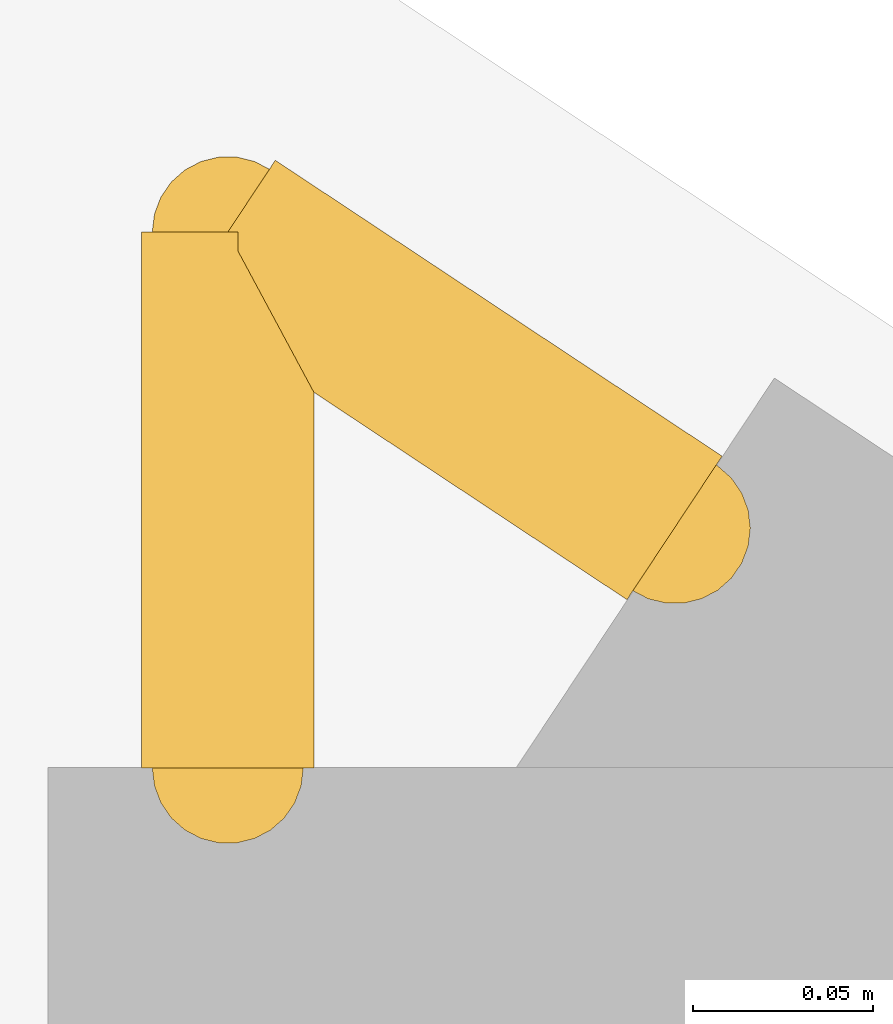
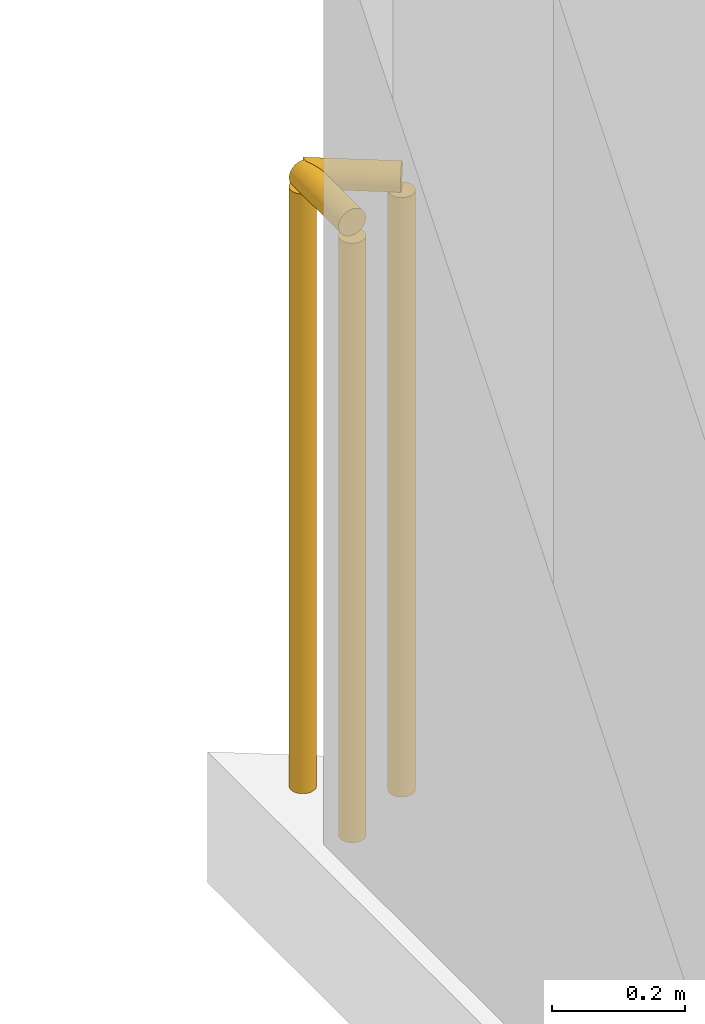
# One storey, part 16 of 17: 2 railings.
"""IFC4 building model written with IfcOpenShell, lengths in metres."""

import ifcopenshell
import ifcopenshell.guid

model = None  # the IFC model being written
_history = None  # IfcOwnerHistory: only IFC2X3 demands one
_inside = {}  # id of a spatial element -> (the spatial element, [elements in it])
_under = {}  # id of a project, library or spatial element -> (it, [spatial elements below it])
_declared = {}  # id of a project -> (the project, [libraries it declares])
_typed = {}  # id of a type object -> (the type object, [elements of that type])
_made_of = {}  # id of a material, layer set ... -> (it, [elements and type objects made of it])


def new_model(schema):
    """Start an empty IFC model of exactly this schema.

    Asked for "IFC4X3", IfcOpenShell would pick the latest addendum, in which some entities
    have other attributes; the version numbers below select the first issue.
    IFC2X3 requires an IfcOwnerHistory on every rooted entity: one is made here for all.
    """
    global model, _history
    if schema == "IFC4X3":
        model = ifcopenshell.file(schema_version=(4, 3, 0, 0))
    else:
        model = ifcopenshell.file(schema=schema)
    _inside.clear()
    _under.clear()
    _declared.clear()
    _typed.clear()
    _made_of.clear()
    _history = None
    if model.schema == "IFC2X3":
        org = make("IfcOrganization", Name="unknown")
        user = make(
            "IfcPersonAndOrganization",
            ThePerson=make("IfcPerson", FamilyName="unknown"),
            TheOrganization=org,
        )
        app = make(
            "IfcApplication",
            ApplicationDeveloper=org,
            Version="unknown",
            ApplicationFullName="unknown",
            ApplicationIdentifier="unknown",
        )
        _history = make(
            "IfcOwnerHistory",
            OwningUser=user,
            OwningApplication=app,
            ChangeAction="ADDED",
            CreationDate=0,
        )
    return model


def make(cls, **values):
    """One entity of the class cls with the attributes given. An attribute that is None is left unset."""
    return model.create_entity(
        cls, **{name: value for name, value in values.items() if value is not None}
    )


def rooted(cls, **values):
    """An entity with a GlobalId (a new one), such as an element, a storey or a relation."""
    return make(cls, GlobalId=ifcopenshell.guid.new(), OwnerHistory=_history, **values)


def si_unit(unit_type, name, prefix=None):
    """IfcSIUnit, for example si_unit("LENGTHUNIT", "METRE", prefix="MILLI")."""
    return make("IfcSIUnit", UnitType=unit_type, Prefix=prefix, Name=name)


def assignment(units):
    """IfcUnitAssignment: the units of a project."""
    return None if units is None else make("IfcUnitAssignment", Units=units)


def point(xyz):
    """IfcCartesianPoint."""
    return None if xyz is None else make("IfcCartesianPoint", Coordinates=xyz)


def direction(xyz):
    """IfcDirection."""
    return None if xyz is None else make("IfcDirection", DirectionRatios=xyz)


def frame(location, z_axis=None, x_axis=None):
    """IfcAxis2Placement3D, a coordinate frame: its origin and axes. An axis left out is left unset."""
    return make(
        "IfcAxis2Placement3D",
        Location=point(location),
        Axis=direction(z_axis),
        RefDirection=direction(x_axis),
    )


def frame_2d(location, x_axis=None):
    """IfcAxis2Placement2D, a coordinate frame in the plane: its origin and x axis."""
    return make(
        "IfcAxis2Placement2D", Location=point(location), RefDirection=direction(x_axis)
    )


def origin():
    """The frame at (0, 0, 0) with its axes left unset."""
    return frame((0.0, 0.0, 0.0))


def origin_2d():
    """The frame at (0, 0) in the plane with its x axis left unset."""
    return frame_2d((0.0, 0.0))


def place(relative_to, where):
    """IfcLocalPlacement: puts the frame where relative to a parent placement (None: the world)."""
    return make(
        "IfcLocalPlacement", PlacementRelTo=relative_to, RelativePlacement=where
    )


def context(
    kind, dimensions, precision=None, world=None, true_north=None, identifier=None
):
    """IfcGeometricRepresentationContext, for example the 3D "Model" context."""
    return make(
        "IfcGeometricRepresentationContext",
        ContextIdentifier=identifier,
        ContextType=kind,
        CoordinateSpaceDimension=dimensions,
        Precision=precision,
        WorldCoordinateSystem=world,
        TrueNorth=true_north,
    )


def subcontext(parent, identifier, kind, view, scale=None):
    """IfcGeometricRepresentationSubContext, for example "Body" below "Model"."""
    return make(
        "IfcGeometricRepresentationSubContext",
        ContextIdentifier=identifier,
        ContextType=kind,
        ParentContext=parent,
        TargetScale=scale,
        TargetView=view,
    )


def project(units=None, contexts=None):
    """IfcProject with its units and contexts."""
    return rooted(
        "IfcProject",
        Name="project",
        RepresentationContexts=contexts,
        UnitsInContext=assignment(units),
    )


def spatial(cls, under=None, at=None, **own):
    """A site, building, storey or space (cls), placed at a placement, below another one or the project."""
    s = rooted(cls, ObjectPlacement=at, **own)
    if under is not None:
        _under.setdefault(under.id(), (under, []))[1].append(s)
    return s


def profile(cls, at=None, kind="AREA", **sizes):
    """A parametric profile (cls). Its sizes go by their IFC names, for example OverallWidth=200.0."""
    return make(cls, ProfileType=kind, Position=at, **sizes)


def circle(**sizes):
    """IfcCircleProfileDef."""
    return profile("IfcCircleProfileDef", **sizes)


def extrude(swept, where, along, depth):
    """IfcExtrudedAreaSolid: the profile swept, set in the frame where, extruded along a direction by depth."""
    return make(
        "IfcExtrudedAreaSolid",
        SweptArea=swept,
        Position=where,
        ExtrudedDirection=direction(along),
        Depth=depth,
    )


def shape(context_of_items, identifier, shape_type, items):
    """IfcShapeRepresentation: the items that make up one representation, for example the "Body"."""
    return make(
        "IfcShapeRepresentation",
        ContextOfItems=context_of_items,
        RepresentationIdentifier=identifier,
        RepresentationType=shape_type,
        Items=items,
    )


def material(Name=None, Category=None):
    """IfcMaterial."""
    return make("IfcMaterial", Name=Name, Category=Category)


def made_of(thing, what):
    """Note that an element or type object is made of a material, layer set ...; save() writes the relation."""
    if what is not None:
        _made_of.setdefault(what.id(), (what, []))[1].append(thing)
    return thing


def type_object(cls, material=None, **own):
    """A type object (cls), such as IfcWallType, which elements share."""
    return made_of(rooted(cls, **own), material)


def element(
    cls,
    number,
    at=None,
    inside=None,
    cuts=None,
    type_object=None,
    material=None,
    context=None,
    identifier="Body",
    shape_type=None,
    held_by="IfcProductDefinitionShape",
    body=None,
    shapes=None,
    **own,
):
    """One element of the class cls, such as IfcWall. Its Tag is "e" and its number.

    at: its placement. inside: the storey or other place that contains it. cuts: it is an
    opening in that element (IfcRelVoidsElement). A single representation is given by context,
    identifier, shape_type and body (its items); several are given by shapes. held_by: the class
    of the entity that holds the representations. save() writes the other relations.
    """
    e = rooted(cls, Tag="e%d" % number, ObjectPlacement=at, **own)
    if body is not None:
        shapes = [shape(context, identifier, shape_type, body)]
    if shapes is not None:
        e.Representation = make(held_by, Representations=shapes)
    if inside is not None:
        _inside.setdefault(inside.id(), (inside, []))[1].append(e)
    if cuts is not None:
        rooted(
            "IfcRelVoidsElement", RelatingBuildingElement=cuts, RelatedOpeningElement=e
        )
    if type_object is not None:
        _typed.setdefault(type_object.id(), (type_object, []))[1].append(e)
    return made_of(e, material)


def aggregate(whole, parts):
    """IfcRelAggregates: a whole, such as a stair, and the parts it consists of."""
    return rooted("IfcRelAggregates", RelatingObject=whole, RelatedObjects=parts)


def save(model, path):
    """Write the relations noted so far, then the file.

    IfcRelAggregates (storeys below a building ...), IfcRelContainedInSpatialStructure (elements
    in a storey), IfcRelDefinesByType, IfcRelAssociatesMaterial and IfcRelDeclares: one each for
    every whole, place, type object, material and project.
    """
    for whole, parts in _under.values():
        aggregate(whole, parts)
    for where, things in _inside.values():
        rooted(
            "IfcRelContainedInSpatialStructure",
            RelatedElements=things,
            RelatingStructure=where,
        )
    for kind, things in _typed.values():
        rooted("IfcRelDefinesByType", RelatedObjects=things, RelatingType=kind)
    for what, things in _made_of.values():
        rooted("IfcRelAssociatesMaterial", RelatedObjects=things, RelatingMaterial=what)
    for by, libraries in _declared.values():
        rooted("IfcRelDeclares", RelatingContext=by, RelatedDefinitions=libraries)
    model.write(path)


model = new_model("IFC4")

# Units and contexts
model_context = context("Model", 3, precision=1e-05, world=origin(), true_north=direction((0.0, 1.0)))
body_context = subcontext(model_context, "Body", "Model", "MODEL_VIEW")
ifc_project = project(units=[si_unit("LENGTHUNIT", "METRE"), si_unit("AREAUNIT", "SQUARE_METRE"), si_unit("VOLUMEUNIT", "CUBIC_METRE"), si_unit("PLANEANGLEUNIT", "RADIAN"), si_unit("MASSUNIT", "GRAM", prefix="KILO")], contexts=[model_context])

# Site, building, storey
site_placement = place(None, origin())
site = spatial("IfcSite", under=ifc_project, at=site_placement, CompositionType="ELEMENT")
building_placement = place(site_placement, origin())
building = spatial("IfcBuilding", under=site, at=building_placement, Name="Varnakote Quay Hospital", CompositionType="ELEMENT")
storey_placement = place(building_placement, frame((0.0, 0.0, 146.800048828125)))
storey = spatial("IfcBuildingStorey", under=building, at=storey_placement, Name="L36", CompositionType="ELEMENT", Elevation=146.800048828125)

# Railings
ifc_material = material(Name="Anodised aluminium 6063-T6 Bronze", Category="aluminium")
railing_type = type_object("IfcRailingType", Name="RLG-EXT-GUARD-1150", PredefinedType="GUARDRAIL", material=ifc_material)
railing_1_placement = place(storey_placement, frame((2.679931640625, 43.10205078125, 0.0)))
element("IfcRailing", 1, at=railing_1_placement, inside=storey, type_object=railing_type, Name="L36 Slab Edge Perimeter Safety Guard", PredefinedType="GUARDRAIL", context=body_context, shape_type="SweptSolid", body=[
    extrude(circle(Radius=0.02392578125, at=origin_2d()), frame((0.0, 0.0, 1.1259765625), z_axis=(0.0, 1.0, 0.0), x_axis=(-1.0, 0.0, 0.0)), (0.0, 0.0, 1.0), 0.14892578125),
    extrude(circle(Radius=0.02099609375, at=origin_2d()), origin(), (0.0, 0.0, 1.0), 1.101806640625),
    extrude(circle(Radius=0.02099609375, at=origin_2d()), frame((0.0, 0.14892578125, 0.0)), (0.0, 0.0, 1.0), 1.101806640625),
])
railing_2_placement = place(storey_placement, frame((2.679931640625, 43.2509765625, 0.0)))
element("IfcRailing", 2, at=railing_2_placement, inside=storey, type_object=railing_type, Name="L36 Slab Edge Perimeter Safety Guard", PredefinedType="GUARDRAIL", context=body_context, shape_type="SweptSolid", body=[
    extrude(circle(Radius=0.02392578125, at=origin_2d()), frame((0.0, 0.0, 1.1259765625), z_axis=(0.833810230731, -0.552051174374, 0.0), x_axis=(0.552051174374, 0.833810230731, 0.0)), (0.0, 0.0, 1.0), 0.14892578125),
    extrude(circle(Radius=0.02099609375, at=origin_2d()), origin(), (0.0, 0.0, 1.0), 1.101806640625),
    extrude(circle(Radius=0.02099609375, at=origin_2d()), frame((0.124267578125, -0.082275390625, 0.0)), (0.0, 0.0, 1.0), 1.101806640625),
])

save(model, "model.ifc")
